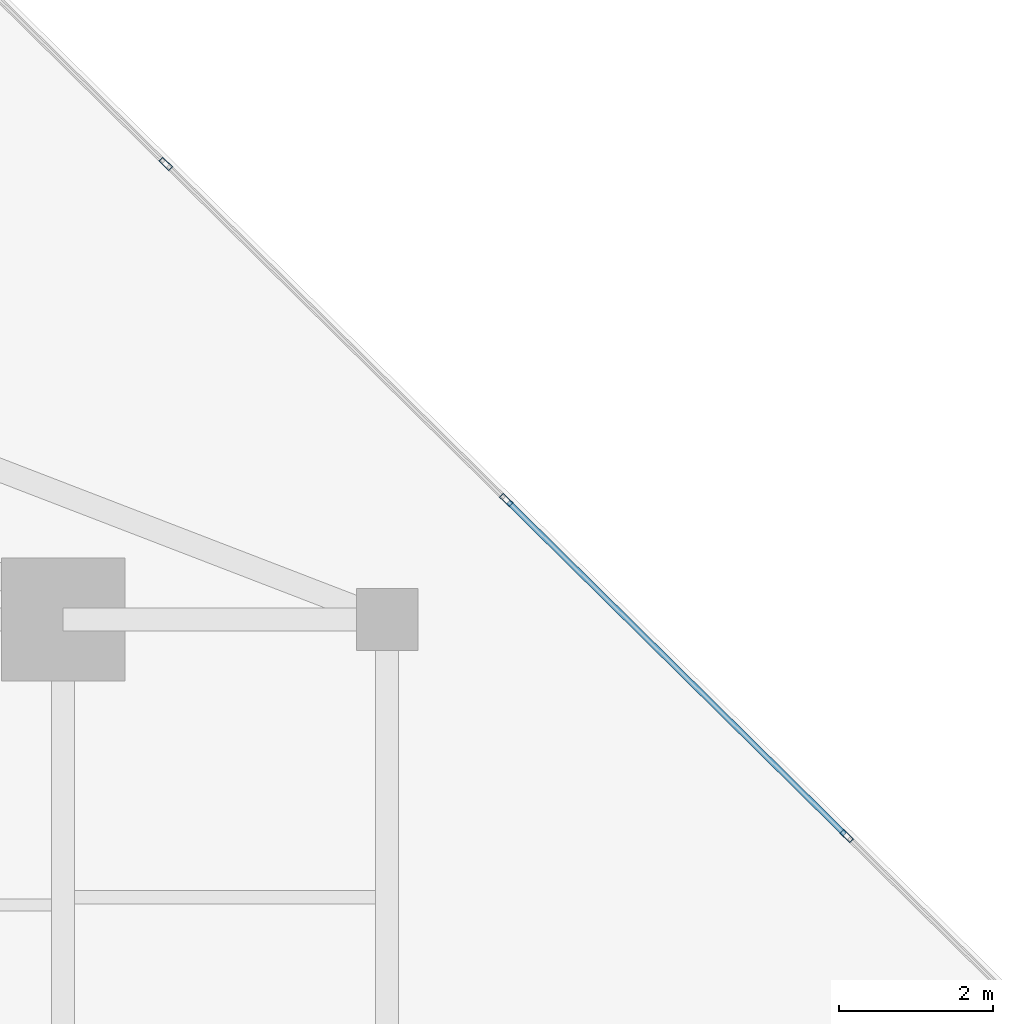
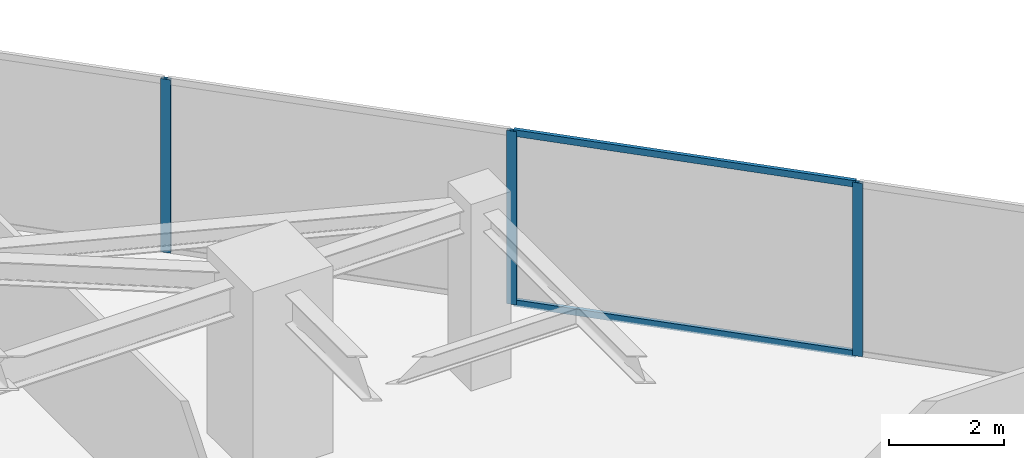
# One storey, part 18 of 24: 5 members, 1 element without a shape of its own.
"""IFC4 building model written with IfcOpenShell, lengths in metres."""

from ifc_helpers import new_model, si_unit, direction, frame, origin, origin_2d, place, context, subcontext, project, spatial, hollow_rectangle, extrude, source, transform, mapped, material, material_profile, profile_set, type_object, type_shapes, element, aggregate, save


model = new_model("IFC4")

# Units and contexts
model_context = context("Model", 3, precision=1e-05, world=origin(), true_north=direction((0.0, 1.0)))
body_context = subcontext(model_context, "Body", "Model", "MODEL_VIEW")
ifc_project = project(units=[si_unit("LENGTHUNIT", "METRE"), si_unit("AREAUNIT", "SQUARE_METRE"), si_unit("VOLUMEUNIT", "CUBIC_METRE"), si_unit("PLANEANGLEUNIT", "RADIAN"), si_unit("MASSUNIT", "GRAM", prefix="KILO")], contexts=[model_context])

# Site, building, storey
site_placement = place(None, origin())
site = spatial("IfcSite", under=ifc_project, at=site_placement, CompositionType="ELEMENT")
building_placement = place(site_placement, origin())
building = spatial("IfcBuilding", under=site, at=building_placement, Name="Krantzveldt Concourse Tower", CompositionType="ELEMENT")
storey_placement = place(building_placement, frame((0.0, 0.0, 234.949951171875)))
storey = spatial("IfcBuildingStorey", under=building, at=storey_placement, Name="L57", CompositionType="ELEMENT", Elevation=234.949951171875)

# Curtain wall, members
ifc_material = material(Name="Anodised aluminium 6063-T6", Category="aluminium")
curtain_wall_type = type_object("IfcCurtainWallType", Name="CW3", PredefinedType="USERDEFINED", material=ifc_material)
curtain_wall_placement = place(storey_placement, origin())
curtain_wall = element("IfcCurtainWall", 1, at=curtain_wall_placement, inside=storey, type_object=curtain_wall_type, Name="CW-L57-F10", ObjectType="UNITISED CURTAIN WALL", PredefinedType="USERDEFINED")
ifc_material_profile_1 = material_profile(ifc_material, hollow_rectangle(XDim=0.070068359375, YDim=0.179931640625, WallThickness=0.0048828125, at=origin_2d()), Name="Anodised aluminium 6063-T6", Category="aluminium")
ifc_profile_set_1 = profile_set([ifc_material_profile_1], Name="Anodised aluminium 6063-T6 - ALU-MULL 180x70x5")
member_type_1 = type_object("IfcMemberType", Name="CW-MUL-180", PredefinedType="MULLION", material=ifc_profile_set_1)
shared_shape_1 = source(origin(), body_context, "Body", "SweptSolid", [
    extrude(hollow_rectangle(XDim=0.070068359375, YDim=0.179931640625, WallThickness=0.0048828125, at=origin_2d()), origin(), (0.0, 0.0, 1.0), 3.670166015625),
])
type_shapes(member_type_1, [shared_shape_1])
member_1_placement = place(storey_placement, frame((56.956298828125, 34.693359375, 0.0), z_axis=(0.0, 0.0, 1.0), x_axis=(-0.702463570854, -0.711719700179, 0.0)))
member_1 = element("IfcMember", 2, at=member_1_placement, type_object=member_type_1, Name="CW-Z34 mullion 2", PredefinedType="MULLION", context=body_context, shape_type="MappedRepresentation", body=[
    mapped(shared_shape_1, transform((0.0, 0.0, 0.0), x_axis=(1.0, 0.0, 0.0), y_axis=(0.0, 1.0, 0.0), z_axis=(0.0, 0.0, 1.0), scale=1.0)),
])
member_2_placement = place(storey_placement, frame((52.543701171875, 39.048583984375, 0.0), z_axis=(0.0, 0.0, 1.0), x_axis=(-0.702463570854, -0.711719700179, 0.0)))
member_2 = element("IfcMember", 3, at=member_2_placement, type_object=member_type_1, Name="CW-Z34 mullion 3", PredefinedType="MULLION", context=body_context, shape_type="MappedRepresentation", body=[
    mapped(shared_shape_1, transform((0.0, 0.0, 0.0), x_axis=(1.0, 0.0, 0.0), y_axis=(0.0, 1.0, 0.0), z_axis=(0.0, 0.0, 1.0), scale=1.0)),
])
member_3_placement = place(storey_placement, frame((48.130859375, 43.40380859375, 0.0), z_axis=(0.0, 0.0, 1.0), x_axis=(-0.702463570854, -0.711719700179, 0.0)))
member_3 = element("IfcMember", 4, at=member_3_placement, type_object=member_type_1, Name="CW-Z34 mullion 4", PredefinedType="MULLION", context=body_context, shape_type="MappedRepresentation", body=[
    mapped(shared_shape_1, transform((0.0, 0.0, 0.0), x_axis=(1.0, 0.0, 0.0), y_axis=(0.0, 1.0, 0.0), z_axis=(0.0, 0.0, 1.0), scale=1.0)),
])
ifc_material_profile_2 = material_profile(ifc_material, hollow_rectangle(XDim=0.070068359375, YDim=0.139892578125, WallThickness=0.0048828125, at=origin_2d()), Name="Anodised aluminium 6063-T6", Category="aluminium")
ifc_profile_set_2 = profile_set([ifc_material_profile_2], Name="Anodised aluminium 6063-T6 - ALU-TRAN 140x70x5")
member_type_2 = type_object("IfcMemberType", Name="CW-TRN-150", PredefinedType="USERDEFINED", material=ifc_profile_set_2)
shared_shape_2 = source(origin(), body_context, "Body", "SweptSolid", [
    extrude(hollow_rectangle(XDim=0.070068359375, YDim=0.139892578125, WallThickness=0.0048828125, at=origin_2d()), origin(), (0.0, 0.0, 1.0), 6.1298828125),
])
type_shapes(member_type_2, [shared_shape_2])
member_4_placement = place(storey_placement, frame((56.931396484375, 34.7177734375, 0.03515625), z_axis=(-0.71171164102, 0.702471736112, 0.0), x_axis=(-0.702471736112, -0.71171164102, 0.0)))
member_4 = element("IfcMember", 5, at=member_4_placement, type_object=member_type_2, Name="CW-Z34 transom 2.1", ObjectType="TRANSOM", PredefinedType="USERDEFINED", context=body_context, shape_type="MappedRepresentation", body=[
    mapped(shared_shape_2, transform((0.0, 0.0, 0.0), x_axis=(1.0, 0.0, 0.0), y_axis=(0.0, 1.0, 0.0), z_axis=(0.0, 0.0, 1.0), scale=1.0)),
])
member_5_placement = place(storey_placement, frame((56.931396484375, 34.7177734375, 3.635009765625), z_axis=(-0.71171164102, 0.702471736112, 0.0), x_axis=(-0.702471736112, -0.71171164102, 0.0)))
member_5 = element("IfcMember", 6, at=member_5_placement, type_object=member_type_2, Name="CW-Z34 transom 2.2", ObjectType="TRANSOM", PredefinedType="USERDEFINED", context=body_context, shape_type="MappedRepresentation", body=[
    mapped(shared_shape_2, transform((0.0, 0.0, 0.0), x_axis=(1.0, 0.0, 0.0), y_axis=(0.0, 1.0, 0.0), z_axis=(0.0, 0.0, 1.0), scale=1.0)),
])
aggregate(curtain_wall, [member_1, member_2, member_3, member_4, member_5])

save(model, "model.ifc")
